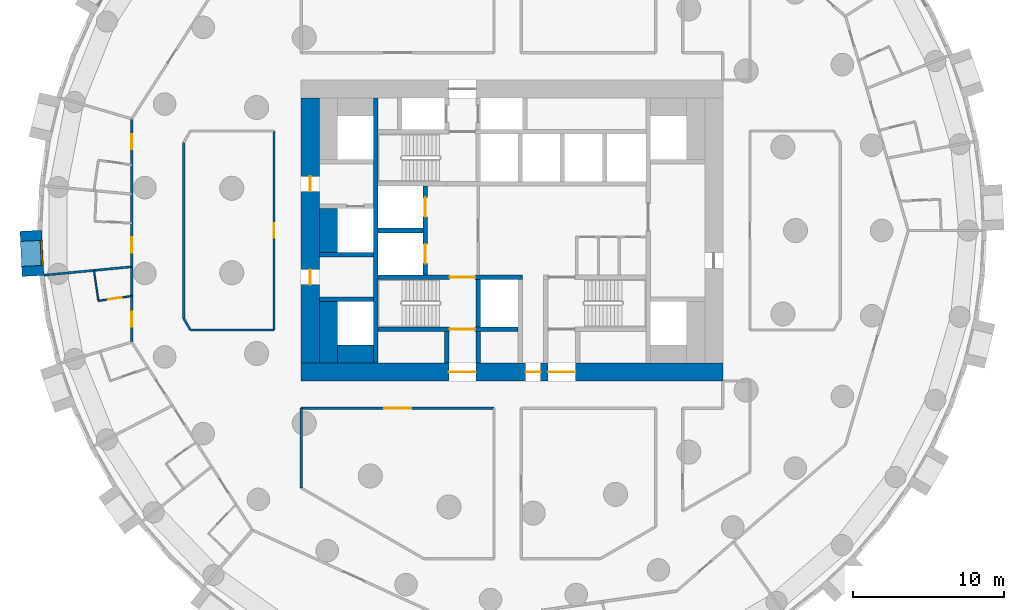
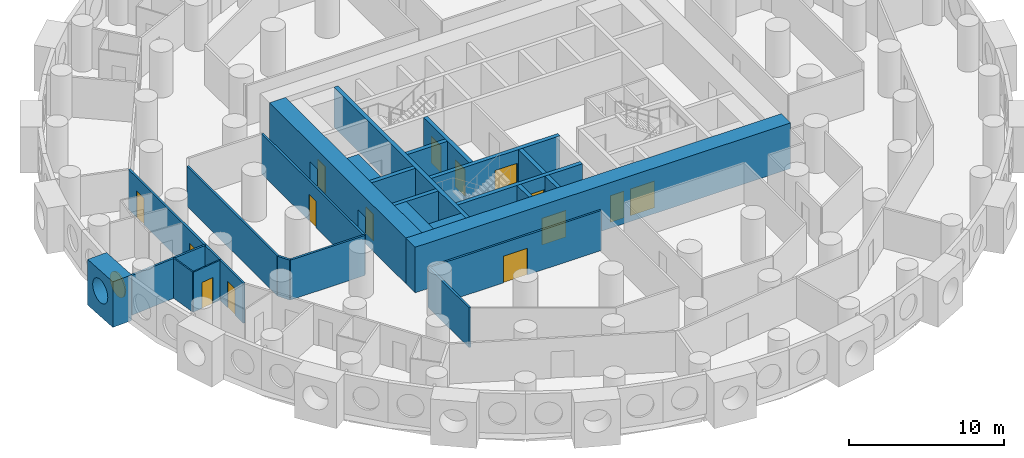
# One storey, part 4 of 12: 26 walls, 15 doors, 1 window, 16 openings.
"""IFC4 building model written with IfcOpenShell, lengths in metres."""

from ifc_helpers import new_model, si_unit, direction, frame, frame_2d, origin, origin_2d, place, context, subcontext, project, spatial, rectangle, circle, extrude, material, layer, layer_set, type_object, element, fill, save


model = new_model("IFC4")

# Units and contexts
model_context = context("Model", 3, precision=1e-05, world=origin(), true_north=direction((0.0, 1.0)))
body_context = subcontext(model_context, "Body", "Model", "MODEL_VIEW")
ifc_project = project(units=[si_unit("LENGTHUNIT", "METRE"), si_unit("AREAUNIT", "SQUARE_METRE"), si_unit("VOLUMEUNIT", "CUBIC_METRE"), si_unit("PLANEANGLEUNIT", "RADIAN"), si_unit("MASSUNIT", "GRAM", prefix="KILO")], contexts=[model_context])

# Site, building, storey
site_placement = place(None, origin())
site = spatial("IfcSite", under=ifc_project, at=site_placement, CompositionType="ELEMENT")
building_placement = place(site_placement, origin())
building = spatial("IfcBuilding", under=site, at=building_placement, Name="Tracery Tower", CompositionType="ELEMENT")
storey_placement = place(building_placement, frame((0.0, 0.0, 31.800048828125)))
storey = spatial("IfcBuildingStorey", under=building, at=storey_placement, Name="L06", CompositionType="ELEMENT", Elevation=31.800048828125)

# Walls
ifc_material_1 = material(Name="Concrete C60/75", Category="concrete")
ifc_layer_1 = layer(ifc_material_1, 1.199951171875)
ifc_layer_set_1 = layer_set([ifc_layer_1], Name="Core strip wall 1200 C60")
wall_type_1 = type_object("IfcWallType", Name="Core strip wall 1200 C60", PredefinedType="SOLIDWALL", material=ifc_layer_set_1)
wall_1_placement = place(storey_placement, frame((-12.199951171875, -8.800048828125, 0.0), z_axis=(0.0, 0.0, 1.0), x_axis=(0.0, 1.0, 0.0)))
element("IfcWall", 1, at=wall_1_placement, inside=storey, type_object=wall_type_1, Name="L06 wing strip -1 -9.4", PredefinedType="SOLIDWALL", context=body_context, shape_type="SweptSolid", body=[
    extrude(rectangle(XDim=4.10009765625, YDim=1.199951171875, at=frame_2d((2.050048828125, 0.0))), origin(), (0.0, 0.0, 1.0), 3.14990234375),
])
wall_2_placement = place(storey_placement, frame((-12.199951171875, -1.449951171875, 0.0), z_axis=(0.0, 0.0, 1.0), x_axis=(0.0, 1.0, 0.0)))
element("IfcWall", 2, at=wall_2_placement, inside=storey, type_object=wall_type_1, Name="L06 wing strip -1 -1.6", PredefinedType="SOLIDWALL", context=body_context, shape_type="SweptSolid", body=[
    extrude(rectangle(XDim=2.89990234375, YDim=1.199951171875, at=frame_2d((1.449951171875, 0.0))), origin(), (0.0, 0.0, 1.0), 3.14990234375),
])
wall_3_placement = place(storey_placement, frame((-11.60009765625, -8.199951171875, 0.0), z_axis=(0.0, 0.0, 1.0), x_axis=(1.0, 0.0, 0.0)))
element("IfcWall", 3, at=wall_3_placement, inside=storey, type_object=wall_type_1, Name="L06 wing corner -1 -8.2", PredefinedType="SOLIDWALL", context=body_context, shape_type="SweptSolid", body=[
    extrude(rectangle(XDim=2.400146484375, YDim=1.199951171875, at=frame_2d((1.2001953125, 0.0))), origin(), (0.0, 0.0, 1.0), 3.14990234375),
])

# Wall, openings, doors
ifc_material_2 = material(Name="Concrete C60/75", Category="concrete")
ifc_layer_2 = layer(ifc_material_2, 1.199951171875)
ifc_layer_set_2 = layer_set([ifc_layer_2], Name="Core wall 1200 C60")
wall_type_2 = type_object("IfcWallType", Name="Core wall 1200 C60", PredefinedType="SOLIDWALL", material=ifc_layer_set_2)
wall_4_placement = place(storey_placement, frame((-14.0, -9.39990234375, 0.0), z_axis=(0.0, 0.0, 1.0), x_axis=(1.0, 0.0, 0.0)))
wall_4 = element("IfcWall", 4, at=wall_4_placement, inside=storey, type_object=wall_type_2, Name="L06 outer S", PredefinedType="SOLIDWALL", context=body_context, shape_type="SweptSolid", body=[
    extrude(rectangle(XDim=28.0, YDim=1.199951171875, at=frame_2d((14.0, 0.0))), origin(), (0.0, 0.0, 1.0), 3.599853515625),
])
opening_1_placement = place(wall_4_placement, frame((14.89990234375, 0.0, 0.0)))
opening_1 = element("IfcOpeningElement", 5, at=opening_1_placement, cuts=wall_4, Name="Opening KD16", PredefinedType="OPENING", context=body_context, shape_type="SweptSolid", body=[
    extrude(rectangle(XDim=1.0, YDim=2.10009765625, at=frame_2d((0.5, 1.050048828125))), frame((0.0, 0.60009765625, 0.0), z_axis=(0.0, -1.0, 0.0), x_axis=(1.0, 0.0, 0.0)), (0.0, 0.0, 1.0), 1.199951171875),
])
opening_2_placement = place(wall_4_placement, frame((9.800048828125, 0.0, 0.0)))
opening_2 = element("IfcOpeningElement", 6, at=opening_2_placement, cuts=wall_4, Name="Opening KD13", PredefinedType="OPENING", context=body_context, shape_type="SweptSolid", body=[
    extrude(rectangle(XDim=1.800048828125, YDim=2.10009765625, at=frame_2d((0.89990234375, 1.050048828125))), frame((0.0, 0.60009765625, 0.0), z_axis=(0.0, -1.0, 0.0), x_axis=(1.0, 0.0, 0.0)), (0.0, 0.0, 1.0), 1.199951171875),
])
opening_3_placement = place(wall_4_placement, frame((16.39990234375, 0.0, 0.0)))
opening_3 = element("IfcOpeningElement", 7, at=opening_3_placement, cuts=wall_4, Name="Opening KD13", PredefinedType="OPENING", context=body_context, shape_type="SweptSolid", body=[
    extrude(rectangle(XDim=1.800048828125, YDim=2.10009765625, at=frame_2d((0.89990234375, 1.050048828125))), frame((0.0, 0.60009765625, 0.0), z_axis=(0.0, -1.0, 0.0), x_axis=(1.0, 0.0, 0.0)), (0.0, 0.0, 1.0), 1.199951171875),
])
ifc_material_3 = material(Name="Steel fire door", Category="steel")
door_type_1 = type_object("IfcDoorType", Name="Core exit door 1000", OperationType="NOTDEFINED", PredefinedType="DOOR", material=ifc_material_3)
door_1_placement = place(opening_1_placement, origin())
door_1 = element("IfcDoor", 8, at=door_1_placement, inside=storey, type_object=door_type_1, Name="Core exit door", OperationType="SINGLE_SWING_LEFT", OverallHeight=2.10009765625, OverallWidth=1.0, PredefinedType="DOOR", context=body_context, shape_type="SweptSolid", body=[
    extrude(rectangle(XDim=1.0, YDim=2.10009765625, at=frame_2d((0.5, 1.050048828125))), frame((0.0, 0.02490234375, 0.0), z_axis=(0.0, -1.0, 0.0), x_axis=(1.0, 0.0, 0.0)), (0.0, 0.0, 1.0), 0.050048828125),
])
fill(opening_1, door_1)
ifc_material_4 = material(Name="Steel fire door", Category="steel")
door_type_2 = type_object("IfcDoorType", Name="Core exit door 1800 double", OperationType="NOTDEFINED", PredefinedType="DOOR", material=ifc_material_4)
door_2_placement = place(opening_2_placement, origin())
door_2 = element("IfcDoor", 9, at=door_2_placement, inside=storey, type_object=door_type_2, Name="Core exit door", OperationType="DOUBLE_DOOR_SINGLE_SWING", OverallHeight=2.10009765625, OverallWidth=1.800048828125, PredefinedType="DOOR", context=body_context, shape_type="SweptSolid", body=[
    extrude(rectangle(XDim=1.800048828125, YDim=2.10009765625, at=frame_2d((0.89990234375, 1.050048828125))), frame((0.0, 0.02490234375, 0.0), z_axis=(0.0, -1.0, 0.0), x_axis=(1.0, 0.0, 0.0)), (0.0, 0.0, 1.0), 0.050048828125),
])
fill(opening_2, door_2)
door_3_placement = place(opening_3_placement, origin())
door_3 = element("IfcDoor", 10, at=door_3_placement, inside=storey, type_object=door_type_2, Name="Core exit door", OperationType="DOUBLE_DOOR_SINGLE_SWING", OverallHeight=2.10009765625, OverallWidth=1.800048828125, PredefinedType="DOOR", context=body_context, shape_type="SweptSolid", body=[
    extrude(rectangle(XDim=1.800048828125, YDim=2.10009765625, at=frame_2d((0.89990234375, 1.050048828125))), frame((0.0, 0.02490234375, 0.0), z_axis=(0.0, -1.0, 0.0), x_axis=(1.0, 0.0, 0.0)), (0.0, 0.0, 1.0), 0.050048828125),
])
fill(opening_3, door_3)

wall_5_placement = place(storey_placement, frame((-13.39990234375, -8.800048828125, 0.0), z_axis=(0.0, 0.0, 1.0), x_axis=(0.0, 1.0, 0.0)))
wall_5 = element("IfcWall", 11, at=wall_5_placement, inside=storey, type_object=wall_type_2, Name="L06 outer W", PredefinedType="SOLIDWALL", context=body_context, shape_type="SweptSolid", body=[
    extrude(rectangle(XDim=17.60009765625, YDim=1.199951171875, at=frame_2d((8.800048828125, 0.0))), origin(), (0.0, 0.0, 1.0), 3.599853515625),
])
opening_4_placement = place(wall_5_placement, frame((5.199951171875, 0.0, 0.0)))
opening_4 = element("IfcOpeningElement", 12, at=opening_4_placement, cuts=wall_5, Name="Opening KD18", PredefinedType="OPENING", context=body_context, shape_type="SweptSolid", body=[
    extrude(rectangle(XDim=1.0, YDim=2.10009765625, at=frame_2d((0.5, 1.050048828125))), frame((0.0, 0.60009765625, 0.0), z_axis=(0.0, -1.0, 0.0), x_axis=(1.0, 0.0, 0.0)), (0.0, 0.0, 1.0), 1.199951171875),
])
opening_5_placement = place(wall_5_placement, frame((11.39990234375, 0.0, 0.0)))
opening_5 = element("IfcOpeningElement", 13, at=opening_5_placement, cuts=wall_5, Name="Opening KD18", PredefinedType="OPENING", context=body_context, shape_type="SweptSolid", body=[
    extrude(rectangle(XDim=1.0, YDim=2.10009765625, at=frame_2d((0.5, 1.050048828125))), frame((0.0, 0.60009765625, 0.0), z_axis=(0.0, -1.0, 0.0), x_axis=(1.0, 0.0, 0.0)), (0.0, 0.0, 1.0), 1.199951171875),
])
door_4_placement = place(opening_4_placement, origin())
door_4 = element("IfcDoor", 14, at=door_4_placement, inside=storey, type_object=door_type_1, Name="Core exit door", OperationType="DOUBLE_DOOR_SINGLE_SWING", OverallHeight=2.10009765625, OverallWidth=1.0, PredefinedType="DOOR", context=body_context, shape_type="SweptSolid", body=[
    extrude(rectangle(XDim=1.0, YDim=2.10009765625, at=frame_2d((0.5, 1.050048828125))), frame((0.0, 0.02490234375, 0.0), z_axis=(0.0, -1.0, 0.0), x_axis=(1.0, 0.0, 0.0)), (0.0, 0.0, 1.0), 0.050048828125),
])
fill(opening_4, door_4)
door_5_placement = place(opening_5_placement, origin())
door_5 = element("IfcDoor", 15, at=door_5_placement, inside=storey, type_object=door_type_1, Name="Core exit door", OperationType="DOUBLE_DOOR_SINGLE_SWING", OverallHeight=2.10009765625, OverallWidth=1.0, PredefinedType="DOOR", context=body_context, shape_type="SweptSolid", body=[
    extrude(rectangle(XDim=1.0, YDim=2.10009765625, at=frame_2d((0.5, 1.050048828125))), frame((0.0, 0.02490234375, 0.0), z_axis=(0.0, -1.0, 0.0), x_axis=(1.0, 0.0, 0.0)), (0.0, 0.0, 1.0), 0.050048828125),
])
fill(opening_5, door_5)

# Wall, opening, window
ifc_material_5 = material(Name="Precast concrete C50/60", Category="concrete")
ifc_layer_3 = layer(ifc_material_5, 1.449951171875)
ifc_layer_set_3 = layer_set([ifc_layer_3], Name="Deep-set bay unit 3000 x 3600, slab edge 450")
wall_type_3 = type_object("IfcWallType", Name="Deep-set bay unit 3000 x 3600, slab edge 450", PredefinedType="ELEMENTEDWALL", material=ifc_layer_set_3)
wall_6_placement = place(storey_placement, frame((-31.94921875, -0.020263671875, -0.449951171875), z_axis=(0.0, 0.0, 1.0), x_axis=(0.047607680889, -0.998866111509, 0.0)))
wall_6 = element("IfcWall", 16, at=wall_6_placement, inside=storey, type_object=wall_type_3, Name="Deep-set bay unit 34 at L06", PredefinedType="ELEMENTEDWALL", context=body_context, shape_type="SweptSolid", body=[
    extrude(rectangle(XDim=3.0, YDim=1.449951171875, at=frame_2d((1.5, 0.0))), origin(), (0.0, 0.0, 1.0), 3.599853515625),
])
opening_6_placement = place(wall_6_placement, frame((1.5, 0.0, 2.0)))
opening_6 = element("IfcOpeningElement", 17, at=opening_6_placement, cuts=wall_6, Name="Opening WN1", PredefinedType="OPENING", context=body_context, shape_type="SweptSolid", body=[
    extrude(circle(Radius=0.9000244140625, at=origin_2d()), frame((0.0, 0.73486328125, 0.0), z_axis=(0.0, -1.0, 0.0), x_axis=(1.0, 0.0, 0.0)), (0.0, 0.0, 1.0), 1.469970703125),
])
ifc_material_6 = material(Name="Aluminium frame with tinted double glazing", Category="aluminium")
window_type = type_object("IfcWindowType", Name="Round window 1800", PartitioningType="SINGLE_PANEL", PredefinedType="WINDOW", material=ifc_material_6)
window_placement = place(opening_6_placement, origin())
window = element("IfcWindow", 18, at=window_placement, inside=storey, type_object=window_type, Name="Round window 34 at L06", OverallHeight=1.800048828125, OverallWidth=1.800048828125, PartitioningType="SINGLE_PANEL", PredefinedType="WINDOW", context=body_context, shape_type="SweptSolid", body=[
    extrude(circle(Radius=0.9000244140625, at=origin_2d()), frame((0.0, 0.69482421875, 0.0), z_axis=(0.0, -1.0, 0.0), x_axis=(1.0, 0.0, 0.0)), (0.0, 0.0, 1.0), 0.10009765625),
])
fill(opening_6, window)

# Wall
ifc_material_7 = material(Name="Plasterboard on steel studs", Category="steel")
ifc_layer_4 = layer(ifc_material_7, 0.10009765625)
ifc_layer_set_4 = layer_set([ifc_layer_4], Name="Partition 100 wet wall")
wall_type_4 = type_object("IfcWallType", Name="Partition 100 wet wall", PredefinedType="PARTITIONING", material=ifc_layer_set_4)
wall_7_placement = place(storey_placement, frame((-27.761962890625, -2.65087890625, 0.0), z_axis=(0.0, 0.0, 1.0), x_axis=(0.142124766346, -0.989848751472, 0.0)))
element("IfcWall", 19, at=wall_7_placement, inside=storey, type_object=wall_type_4, Name="Wet wall RA1-100", PredefinedType="PARTITIONING", context=body_context, shape_type="SweptSolid", body=[
    extrude(rectangle(XDim=2.040771484375, YDim=0.10009765625, at=frame_2d((1.0205078125, 0.0))), origin(), (0.0, 0.0, 1.0), 3.14990234375),
])

# Wall, opening, door
wall_8_placement = place(storey_placement, frame((-27.471923828125, -4.6708984375, 0.0), z_axis=(0.0, 0.0, 1.0), x_axis=(0.989833725002, 0.142229381104, 0.0)))
wall_8 = element("IfcWall", 20, at=wall_8_placement, inside=storey, type_object=wall_type_4, Name="Wet wall RA1-101", PredefinedType="PARTITIONING", context=body_context, shape_type="SweptSolid", body=[
    extrude(rectangle(XDim=2.24169921875, YDim=0.10009765625, at=frame_2d((1.120849609375, 0.0))), origin(), (0.0, 0.0, 1.0), 3.14990234375),
])
opening_7_placement = place(wall_8_placement, frame((0.6708984375, 0.0, 0.0)))
opening_7 = element("IfcOpeningElement", 21, at=opening_7_placement, cuts=wall_8, Name="Opening RA1-37", PredefinedType="OPENING", context=body_context, shape_type="SweptSolid", body=[
    extrude(rectangle(XDim=0.89990234375, YDim=2.0400390625, at=frame_2d((0.449951171875, 1.02001953125))), frame((0.0, 0.050048828125, 0.0), z_axis=(0.0, -1.0, 0.0), x_axis=(1.0, 0.0, 0.0)), (0.0, 0.0, 1.0), 0.10009765625),
])
ifc_material_8 = material(Name="Timber door leaf", Category="wood")
door_type_3 = type_object("IfcDoorType", Name="Door en-suite 900", OperationType="NOTDEFINED", PredefinedType="DOOR", material=ifc_material_8)
door_6_placement = place(opening_7_placement, origin())
door_6 = element("IfcDoor", 22, at=door_6_placement, inside=storey, type_object=door_type_3, Name="En-suite door RA1-37", OperationType="SINGLE_SWING_RIGHT", OverallHeight=2.0400390625, OverallWidth=0.89990234375, PredefinedType="DOOR", context=body_context, shape_type="SweptSolid", body=[
    extrude(rectangle(XDim=0.89990234375, YDim=2.0400390625, at=frame_2d((0.449951171875, 1.02001953125))), frame((0.0, 0.02490234375, 0.0), z_axis=(0.0, -1.0, 0.0), x_axis=(1.0, 0.0, 0.0)), (0.0, 0.0, 1.0), 0.050048828125),
])
fill(opening_7, door_6)

# Wall
ifc_material_9 = material(Name="Plasterboard on steel studs", Category="steel")
ifc_layer_5 = layer(ifc_material_9, 0.14990234375)
ifc_layer_set_5 = layer_set([ifc_layer_5], Name="Partition 150 acoustic unit wall")
wall_type_5 = type_object("IfcWallType", Name="Partition 150 acoustic unit wall", PredefinedType="PARTITIONING", material=ifc_layer_set_5)
wall_9_placement = place(storey_placement, frame((-31.0830078125, -2.968017578125, 0.0), z_axis=(0.0, 0.0, 1.0), x_axis=(0.995456793999, 0.095214343879, 0.0)))
element("IfcWall", 23, at=wall_9_placement, inside=storey, type_object=wall_type_5, Name="Unit wall RA1-099", PredefinedType="PARTITIONING", context=body_context, shape_type="SweptSolid", body=[
    extrude(rectangle(XDim=5.8564453125, YDim=0.14990234375, at=frame_2d((2.92822265625, 0.0))), origin(), (0.0, 0.0, 1.0), 3.14990234375),
])

# Wall, opening, door
ifc_material_10 = material(Name="Plasterboard on steel studs", Category="steel")
ifc_layer_6 = layer(ifc_material_10, 0.14990234375)
ifc_layer_set_6 = layer_set([ifc_layer_6], Name="Partition 150 corridor wall")
wall_type_6 = type_object("IfcWallType", Name="Partition 150 corridor wall", PredefinedType="PARTITIONING", material=ifc_layer_set_6)
wall_10_placement = place(storey_placement, frame((-14.00390625, -11.800048828125, 0.0), z_axis=(0.0, 0.0, 1.0), x_axis=(1.0, 0.0, 0.0)))
wall_10 = element("IfcWall", 24, at=wall_10_placement, inside=storey, type_object=wall_type_6, Name="Corridor wall RA1-005", PredefinedType="PARTITIONING", context=body_context, shape_type="SweptSolid", body=[
    extrude(rectangle(XDim=12.81591796875, YDim=0.14990234375, at=frame_2d((6.407958984375, 0.0))), origin(), (0.0, 0.0, 1.0), 3.14990234375),
])
opening_8_placement = place(wall_10_placement, frame((5.508056640625, 0.0, 0.0)))
opening_8 = element("IfcOpeningElement", 25, at=opening_8_placement, cuts=wall_10, Name="Opening RA1-04", PredefinedType="OPENING", context=body_context, shape_type="SweptSolid", body=[
    extrude(rectangle(XDim=1.800048828125, YDim=2.10009765625, at=frame_2d((0.89990234375, 1.050048828125))), frame((0.0, 0.074951171875, 0.0), z_axis=(0.0, -1.0, 0.0), x_axis=(1.0, 0.0, 0.0)), (0.0, 0.0, 1.0), 0.14990234375),
])
ifc_material_11 = material(Name="Timber door leaf", Category="wood")
door_type_4 = type_object("IfcDoorType", Name="Door double lounge 1800", OperationType="NOTDEFINED", PredefinedType="DOOR", material=ifc_material_11)
door_7_placement = place(opening_8_placement, origin())
door_7 = element("IfcDoor", 26, at=door_7_placement, inside=storey, type_object=door_type_4, Name="Double lounge door RA1-04", OperationType="DOUBLE_DOOR_SINGLE_SWING", OverallHeight=2.10009765625, OverallWidth=1.800048828125, PredefinedType="DOOR", context=body_context, shape_type="SweptSolid", body=[
    extrude(rectangle(XDim=1.800048828125, YDim=2.10009765625, at=frame_2d((0.89990234375, 1.050048828125))), frame((0.0, 0.02490234375, 0.0), z_axis=(0.0, -1.0, 0.0), x_axis=(1.0, 0.0, 0.0)), (0.0, 0.0, 1.0), 0.050048828125),
])
fill(opening_8, door_7)

wall_11_placement = place(storey_placement, frame((-15.800048828125, -6.60400390625, 0.0), z_axis=(0.0, 0.0, 1.0), x_axis=(0.0, 1.0, 0.0)))
wall_11 = element("IfcWall", 27, at=wall_11_placement, inside=storey, type_object=wall_type_6, Name="Corridor wall RA1-012", PredefinedType="PARTITIONING", context=body_context, shape_type="SweptSolid", body=[
    extrude(rectangle(XDim=13.2080078125, YDim=0.14990234375, at=frame_2d((6.60400390625, 0.0))), origin(), (0.0, 0.0, 1.0), 3.14990234375),
])
opening_9_placement = place(wall_11_placement, frame((6.12890625, 0.0, 0.0)))
opening_9 = element("IfcOpeningElement", 28, at=opening_9_placement, cuts=wall_11, Name="Opening RA1-08", PredefinedType="OPENING", context=body_context, shape_type="SweptSolid", body=[
    extrude(rectangle(XDim=0.949951171875, YDim=2.10009765625, at=frame_2d((0.47509765625, 1.050048828125))), frame((0.0, 0.074951171875, 0.0), z_axis=(0.0, -1.0, 0.0), x_axis=(1.0, 0.0, 0.0)), (0.0, 0.0, 1.0), 0.14990234375),
])
ifc_material_12 = material(Name="Timber door leaf", Category="wood")
door_type_5 = type_object("IfcDoorType", Name="Door store 950", OperationType="NOTDEFINED", PredefinedType="DOOR", material=ifc_material_12)
door_8_placement = place(opening_9_placement, origin())
door_8 = element("IfcDoor", 29, at=door_8_placement, inside=storey, type_object=door_type_5, Name="Store door RA1-08", OperationType="SINGLE_SWING_LEFT", OverallHeight=2.10009765625, OverallWidth=0.949951171875, PredefinedType="DOOR", context=body_context, shape_type="SweptSolid", body=[
    extrude(rectangle(XDim=0.949951171875, YDim=2.10009765625, at=frame_2d((0.47509765625, 1.050048828125))), frame((0.0, 0.02490234375, 0.0), z_axis=(0.0, -1.0, 0.0), x_axis=(1.0, 0.0, 0.0)), (0.0, 0.0, 1.0), 0.050048828125),
])
fill(opening_9, door_8)

# Walls
wall_12_placement = place(storey_placement, frame((-14.0, -17.092041015625, 0.0), z_axis=(0.0, 0.0, 1.0), x_axis=(0.0, 1.0, 0.0)))
element("IfcWall", 30, at=wall_12_placement, inside=storey, type_object=wall_type_6, Name="Corridor wall RA1-037", PredefinedType="PARTITIONING", context=body_context, shape_type="SweptSolid", body=[
    extrude(rectangle(XDim=5.2919921875, YDim=0.14990234375, at=frame_2d((2.64599609375, 0.0))), origin(), (0.0, 0.0, 1.0), 3.14990234375),
])
wall_13_placement = place(storey_placement, frame((-21.802001953125, -5.842041015625, 0.0), z_axis=(0.0, 0.0, 1.0), x_axis=(0.0, 1.0, 0.0)))
element("IfcWall", 31, at=wall_13_placement, inside=storey, type_object=wall_type_6, Name="Corridor wall RA1-040", PredefinedType="PARTITIONING", context=body_context, shape_type="SweptSolid", body=[
    extrude(rectangle(XDim=11.68408203125, YDim=0.14990234375, at=frame_2d((5.842041015625, 0.0))), origin(), (0.0, 0.0, 1.0), 3.14990234375),
])
wall_14_placement = place(storey_placement, frame((-21.802001953125, -5.842041015625, 0.0), z_axis=(0.0, 0.0, 1.0), x_axis=(0.500277597875, -0.865865073245, 0.0)))
element("IfcWall", 32, at=wall_14_placement, inside=storey, type_object=wall_type_6, Name="Corridor wall RA1-041", PredefinedType="PARTITIONING", context=body_context, shape_type="SweptSolid", body=[
    extrude(rectangle(XDim=0.87548828125, YDim=0.14990234375, at=frame_2d((0.437744140625, 0.0))), origin(), (0.0, 0.0, 1.0), 3.14990234375),
])
wall_15_placement = place(storey_placement, frame((-21.364013671875, -6.60009765625, 0.0), z_axis=(0.0, 0.0, 1.0), x_axis=(1.0, 0.0, 0.0)))
element("IfcWall", 33, at=wall_15_placement, inside=storey, type_object=wall_type_6, Name="Corridor wall RA1-042", PredefinedType="PARTITIONING", context=body_context, shape_type="SweptSolid", body=[
    extrude(rectangle(XDim=5.56396484375, YDim=0.14990234375, at=frame_2d((2.781982421875, 0.0))), origin(), (0.0, 0.0, 1.0), 3.14990234375),
])

# Wall, openings, doors
wall_16_placement = place(storey_placement, frame((-25.2529296875, -7.4150390625, 0.0), z_axis=(0.0, 0.0, 1.0), x_axis=(0.0, 1.0, 0.0)))
wall_16 = element("IfcWall", 34, at=wall_16_placement, inside=storey, type_object=wall_type_6, Name="Corridor wall RA1-044", PredefinedType="PARTITIONING", context=body_context, shape_type="SweptSolid", body=[
    extrude(rectangle(XDim=14.830078125, YDim=0.14990234375, at=frame_2d((7.4150390625, 0.0))), origin(), (0.0, 0.0, 1.0), 3.14990234375),
])
opening_10_placement = place(wall_16_placement, frame((12.797119140625, 0.0, 0.0)))
opening_10 = element("IfcOpeningElement", 35, at=opening_10_placement, cuts=wall_16, Name="Opening RA1-34", PredefinedType="OPENING", context=body_context, shape_type="SweptSolid", body=[
    extrude(rectangle(XDim=1.0, YDim=2.10009765625, at=frame_2d((0.5, 1.050048828125))), frame((0.0, 0.074951171875, 0.0), z_axis=(0.0, -1.0, 0.0), x_axis=(1.0, 0.0, 0.0)), (0.0, 0.0, 1.0), 0.14990234375),
])
opening_11_placement = place(wall_16_placement, frame((5.9541015625, 0.0, 0.0)))
opening_11 = element("IfcOpeningElement", 36, at=opening_11_placement, cuts=wall_16, Name="Opening RA1-36", PredefinedType="OPENING", context=body_context, shape_type="SweptSolid", body=[
    extrude(rectangle(XDim=1.0, YDim=2.10009765625, at=frame_2d((0.5, 1.050048828125))), frame((0.0, 0.074951171875, 0.0), z_axis=(0.0, -1.0, 0.0), x_axis=(1.0, 0.0, 0.0)), (0.0, 0.0, 1.0), 0.14990234375),
])
opening_12_placement = place(wall_16_placement, frame((1.033935546875, 0.0, 0.0)))
opening_12 = element("IfcOpeningElement", 37, at=opening_12_placement, cuts=wall_16, Name="Opening RA1-38", PredefinedType="OPENING", context=body_context, shape_type="SweptSolid", body=[
    extrude(rectangle(XDim=1.0, YDim=2.10009765625, at=frame_2d((0.5, 1.050048828125))), frame((0.0, 0.074951171875, 0.0), z_axis=(0.0, -1.0, 0.0), x_axis=(1.0, 0.0, 0.0)), (0.0, 0.0, 1.0), 0.14990234375),
])
ifc_material_13 = material(Name="Timber door leaf", Category="wood")
door_type_6 = type_object("IfcDoorType", Name="Door unit entrance 1000", OperationType="NOTDEFINED", PredefinedType="DOOR", material=ifc_material_13)
door_9_placement = place(opening_10_placement, origin())
door_9 = element("IfcDoor", 38, at=door_9_placement, inside=storey, type_object=door_type_6, Name="Unit entrance door RA1-34", OperationType="SINGLE_SWING_RIGHT", OverallHeight=2.10009765625, OverallWidth=1.0, PredefinedType="DOOR", context=body_context, shape_type="SweptSolid", body=[
    extrude(rectangle(XDim=1.0, YDim=2.10009765625, at=frame_2d((0.5, 1.050048828125))), frame((0.0, 0.02490234375, 0.0), z_axis=(0.0, -1.0, 0.0), x_axis=(1.0, 0.0, 0.0)), (0.0, 0.0, 1.0), 0.050048828125),
])
fill(opening_10, door_9)
door_10_placement = place(opening_11_placement, origin())
door_10 = element("IfcDoor", 39, at=door_10_placement, inside=storey, type_object=door_type_6, Name="Unit entrance door RA1-36", OperationType="SINGLE_SWING_RIGHT", OverallHeight=2.10009765625, OverallWidth=1.0, PredefinedType="DOOR", context=body_context, shape_type="SweptSolid", body=[
    extrude(rectangle(XDim=1.0, YDim=2.10009765625, at=frame_2d((0.5, 1.050048828125))), frame((0.0, 0.02490234375, 0.0), z_axis=(0.0, -1.0, 0.0), x_axis=(1.0, 0.0, 0.0)), (0.0, 0.0, 1.0), 0.050048828125),
])
fill(opening_11, door_10)
door_11_placement = place(opening_12_placement, origin())
door_11 = element("IfcDoor", 40, at=door_11_placement, inside=storey, type_object=door_type_6, Name="Unit entrance door RA1-38", OperationType="SINGLE_SWING_RIGHT", OverallHeight=2.10009765625, OverallWidth=1.0, PredefinedType="DOOR", context=body_context, shape_type="SweptSolid", body=[
    extrude(rectangle(XDim=1.0, YDim=2.10009765625, at=frame_2d((0.5, 1.050048828125))), frame((0.0, 0.02490234375, 0.0), z_axis=(0.0, -1.0, 0.0), x_axis=(1.0, 0.0, 0.0)), (0.0, 0.0, 1.0), 0.050048828125),
])
fill(opening_12, door_11)

# Wall
ifc_material_14 = material(Name="Concrete C60/75", Category="concrete")
ifc_layer_7 = layer(ifc_material_14, 0.300048828125)
ifc_layer_set_7 = layer_set([ifc_layer_7], Name="Shaft wall 300 C60")
wall_type_7 = type_object("IfcWallType", Name="Shaft wall 300 C60", PredefinedType="SOLIDWALL", material=ifc_layer_set_7)
wall_17_placement = place(storey_placement, frame((-8.89990234375, 0.0, 0.0), z_axis=(0.0, 0.0, 1.0), x_axis=(1.0, 0.0, 0.0)))
element("IfcWall", 41, at=wall_17_placement, inside=storey, type_object=wall_type_7, Name="L06 FF split", PredefinedType="SOLIDWALL", context=body_context, shape_type="SweptSolid", body=[
    extrude(rectangle(XDim=3.0, YDim=0.300048828125, at=frame_2d((1.5, 0.0))), origin(), (0.0, 0.0, 1.0), 3.14990234375),
])

# Wall, openings, doors
wall_18_placement = place(storey_placement, frame((-5.75, -2.949951171875, 0.0), z_axis=(0.0, 0.0, 1.0), x_axis=(0.0, 1.0, 0.0)))
wall_18 = element("IfcWall", 42, at=wall_18_placement, inside=storey, type_object=wall_type_7, Name="L06 FF doors", PredefinedType="SOLIDWALL", context=body_context, shape_type="SweptSolid", body=[
    extrude(rectangle(XDim=5.89990234375, YDim=0.300048828125, at=frame_2d((2.949951171875, 0.0))), origin(), (0.0, 0.0, 1.0), 3.14990234375),
])
opening_13_placement = place(wall_18_placement, frame((0.75, 0.0, 0.0)))
opening_13 = element("IfcOpeningElement", 43, at=opening_13_placement, cuts=wall_18, Name="Opening KD54", PredefinedType="OPENING", context=body_context, shape_type="SweptSolid", body=[
    extrude(rectangle(XDim=1.300048828125, YDim=2.10009765625, at=frame_2d((0.64990234375, 1.050048828125))), frame((0.0, 0.14990234375, 0.0), z_axis=(0.0, -1.0, 0.0), x_axis=(1.0, 0.0, 0.0)), (0.0, 0.0, 1.0), 0.300048828125),
])
opening_14_placement = place(wall_18_placement, frame((3.85009765625, 0.0, 0.0)))
opening_14 = element("IfcOpeningElement", 44, at=opening_14_placement, cuts=wall_18, Name="Opening KD55", PredefinedType="OPENING", context=body_context, shape_type="SweptSolid", body=[
    extrude(rectangle(XDim=1.300048828125, YDim=2.10009765625, at=frame_2d((0.64990234375, 1.050048828125))), frame((0.0, 0.14990234375, 0.0), z_axis=(0.0, -1.0, 0.0), x_axis=(1.0, 0.0, 0.0)), (0.0, 0.0, 1.0), 0.300048828125),
])
ifc_material_15 = material(Name="Steel fire door", Category="steel")
door_type_7 = type_object("IfcDoorType", Name="Landing door FF 1300", OperationType="NOTDEFINED", PredefinedType="DOOR", material=ifc_material_15)
door_12_placement = place(opening_13_placement, origin())
door_12 = element("IfcDoor", 45, at=door_12_placement, inside=storey, type_object=door_type_7, Name="Landing door FF1", OperationType="SLIDING_TO_LEFT", OverallHeight=2.10009765625, OverallWidth=1.300048828125, PredefinedType="DOOR", context=body_context, shape_type="SweptSolid", body=[
    extrude(rectangle(XDim=1.300048828125, YDim=2.10009765625, at=frame_2d((0.64990234375, 1.050048828125))), frame((0.0, 0.02490234375, 0.0), z_axis=(0.0, -1.0, 0.0), x_axis=(1.0, 0.0, 0.0)), (0.0, 0.0, 1.0), 0.050048828125),
])
fill(opening_13, door_12)
door_13_placement = place(opening_14_placement, origin())
door_13 = element("IfcDoor", 46, at=door_13_placement, inside=storey, type_object=door_type_7, Name="Landing door FF2", OperationType="SLIDING_TO_RIGHT", OverallHeight=2.10009765625, OverallWidth=1.300048828125, PredefinedType="DOOR", context=body_context, shape_type="SweptSolid", body=[
    extrude(rectangle(XDim=1.300048828125, YDim=2.10009765625, at=frame_2d((0.64990234375, 1.050048828125))), frame((0.0, 0.02490234375, 0.0), z_axis=(0.0, -1.0, 0.0), x_axis=(1.0, 0.0, 0.0)), (0.0, 0.0, 1.0), 0.050048828125),
])
fill(opening_14, door_13)

# Walls
wall_19_placement = place(storey_placement, frame((-4.35009765625, -8.800048828125, 0.0), z_axis=(0.0, 0.0, 1.0), x_axis=(0.0, 1.0, 0.0)))
element("IfcWall", 47, at=wall_19_placement, inside=storey, type_object=wall_type_7, Name="L06 band S -4.35", PredefinedType="SOLIDWALL", context=body_context, shape_type="SweptSolid", body=[
    extrude(rectangle(XDim=2.10009765625, YDim=0.300048828125, at=frame_2d((1.050048828125, 0.0))), origin(), (0.0, 0.0, 1.0), 3.14990234375),
])
for number, where, z_axis, x_axis, name in (
    (48, (-12.800048828125, -4.550048828125, 0.0), (0.0, 0.0, 1.0), (1.0, 0.0, 0.0), "L06 wing shaft wall -1 -4.55"),
    (49, (-12.800048828125, -1.60009765625, 0.0), (0.0, 0.0, 1.0), (1.0, 0.0, 0.0), "L06 wing shaft wall -1 -1.60"),
):
    element("IfcWall", number, at=place(storey_placement, frame(where, z_axis=z_axis, x_axis=x_axis)), inside=storey, type_object=wall_type_7, Name=name, PredefinedType="SOLIDWALL", context=body_context, shape_type="SweptSolid", body=[
        extrude(rectangle(XDim=3.60009765625, YDim=0.300048828125, at=frame_2d((1.800048828125, 0.0))), origin(), (0.0, 0.0, 1.0), 3.14990234375),
    ])

# Wall, opening, door
ifc_material_16 = material(Name="Concrete C60/75", Category="concrete")
ifc_layer_8 = layer(ifc_material_16, 0.300048828125)
ifc_layer_set_8 = layer_set([ifc_layer_8], Name="Stair wall 300 C60")
wall_type_8 = type_object("IfcWallType", Name="Stair wall 300 C60", PredefinedType="SOLIDWALL", material=ifc_layer_set_8)
wall_20_placement = place(storey_placement, frame((-8.89990234375, -3.10009765625, 0.0), z_axis=(0.0, 0.0, 1.0), x_axis=(1.0, 0.0, 0.0)))
wall_20 = element("IfcWall", 50, at=wall_20_placement, inside=storey, type_object=wall_type_8, Name="L06 row S", PredefinedType="SOLIDWALL", context=body_context, shape_type="SweptSolid", body=[
    extrude(rectangle(XDim=9.599853515625, YDim=0.300048828125, at=frame_2d((4.7998046875, 0.0))), origin(), (0.0, 0.0, 1.0), 3.14990234375),
])
opening_15_placement = place(wall_20_placement, frame((4.75, 0.0, 0.0)))
opening_15 = element("IfcOpeningElement", 51, at=opening_15_placement, cuts=wall_20, Name="Opening KD3", PredefinedType="OPENING", context=body_context, shape_type="SweptSolid", body=[
    extrude(rectangle(XDim=1.699951171875, YDim=2.10009765625, at=frame_2d((0.85009765625, 1.050048828125))), frame((0.0, 0.14990234375, 0.0), z_axis=(0.0, -1.0, 0.0), x_axis=(1.0, 0.0, 0.0)), (0.0, 0.0, 1.0), 0.300048828125),
])
ifc_material_17 = material(Name="Steel fire door", Category="steel")
door_type_8 = type_object("IfcDoorType", Name="Core stair door 1700 double", OperationType="NOTDEFINED", PredefinedType="DOOR", material=ifc_material_17)
door_14_placement = place(opening_15_placement, origin())
door_14 = element("IfcDoor", 52, at=door_14_placement, inside=storey, type_object=door_type_8, Name="Stair door ST1", OperationType="DOUBLE_DOOR_SINGLE_SWING", OverallHeight=2.10009765625, OverallWidth=1.699951171875, PredefinedType="DOOR", context=body_context, shape_type="SweptSolid", body=[
    extrude(rectangle(XDim=1.699951171875, YDim=2.10009765625, at=frame_2d((0.85009765625, 1.050048828125))), frame((0.0, 0.02490234375, 0.0), z_axis=(0.0, -1.0, 0.0), x_axis=(1.0, 0.0, 0.0)), (0.0, 0.0, 1.0), 0.050048828125),
])
fill(opening_15, door_14)

# Walls
wall_21_placement = place(storey_placement, frame((-2.25, -6.39990234375, 0.0), z_axis=(0.0, 0.0, 1.0), x_axis=(0.0, 1.0, 0.0)))
element("IfcWall", 53, at=wall_21_placement, inside=storey, type_object=wall_type_8, Name="L06 ST1 E", PredefinedType="SOLIDWALL", context=body_context, shape_type="SweptSolid", body=[
    extrude(rectangle(XDim=3.14990234375, YDim=0.300048828125, at=frame_2d((1.574951171875, 0.0))), origin(), (0.0, 0.0, 1.0), 3.14990234375),
])
wall_22_placement = place(storey_placement, frame((-9.050048828125, -8.800048828125, 0.0), z_axis=(0.0, 0.0, 1.0), x_axis=(0.0, 1.0, 0.0)))
element("IfcWall", 54, at=wall_22_placement, inside=storey, type_object=wall_type_8, Name="L06 F wall -9", PredefinedType="SOLIDWALL", context=body_context, shape_type="SweptSolid", body=[
    extrude(rectangle(XDim=17.60009765625, YDim=0.300048828125, at=frame_2d((8.800048828125, 0.0))), origin(), (0.0, 0.0, 1.0), 3.14990234375),
])

# Wall, opening, door
wall_23_placement = place(storey_placement, frame((-8.89990234375, -6.550048828125, 0.0), z_axis=(0.0, 0.0, 1.0), x_axis=(1.0, 0.0, 0.0)))
wall_23 = element("IfcWall", 55, at=wall_23_placement, inside=storey, type_object=wall_type_8, Name="L06 F S W", PredefinedType="SOLIDWALL", context=body_context, shape_type="SweptSolid", body=[
    extrude(rectangle(XDim=9.2998046875, YDim=0.300048828125, at=frame_2d((4.64990234375, 0.0))), origin(), (0.0, 0.0, 1.0), 3.14990234375),
])
opening_16_placement = place(wall_23_placement, frame((4.75, 0.0, 0.0)))
opening_16 = element("IfcOpeningElement", 56, at=opening_16_placement, cuts=wall_23, Name="Opening KD3", PredefinedType="OPENING", context=body_context, shape_type="SweptSolid", body=[
    extrude(rectangle(XDim=1.699951171875, YDim=2.10009765625, at=frame_2d((0.85009765625, 1.050048828125))), frame((0.0, 0.14990234375, 0.0), z_axis=(0.0, -1.0, 0.0), x_axis=(1.0, 0.0, 0.0)), (0.0, 0.0, 1.0), 0.300048828125),
])
door_15_placement = place(opening_16_placement, origin())
door_15 = element("IfcDoor", 57, at=door_15_placement, inside=storey, type_object=door_type_8, Name="Stair door ST1 S", OperationType="DOUBLE_DOOR_SINGLE_SWING", OverallHeight=2.10009765625, OverallWidth=1.699951171875, PredefinedType="DOOR", context=body_context, shape_type="SweptSolid", body=[
    extrude(rectangle(XDim=1.699951171875, YDim=2.10009765625, at=frame_2d((0.85009765625, 1.050048828125))), frame((0.0, 0.02490234375, 0.0), z_axis=(0.0, -1.0, 0.0), x_axis=(1.0, 0.0, 0.0)), (0.0, 0.0, 1.0), 0.050048828125),
])
fill(opening_16, door_15)

# Wall
wall_24_placement = place(storey_placement, frame((-2.25, -8.800048828125, 0.0), z_axis=(0.0, 0.0, 1.0), x_axis=(0.0, 1.0, 0.0)))
element("IfcWall", 58, at=wall_24_placement, inside=storey, type_object=wall_type_8, Name="L06 ST1 E out", PredefinedType="SOLIDWALL", context=body_context, shape_type="SweptSolid", body=[
    extrude(rectangle(XDim=2.10009765625, YDim=0.300048828125, at=frame_2d((1.050048828125, 0.0))), origin(), (0.0, 0.0, 1.0), 3.14990234375),
])

save(model, "model.ifc")
